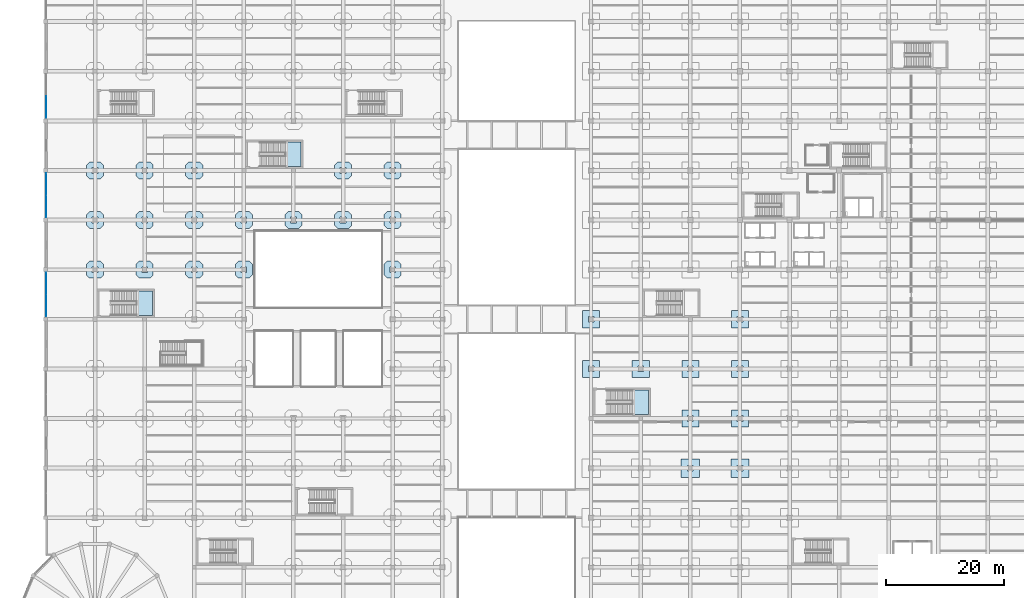
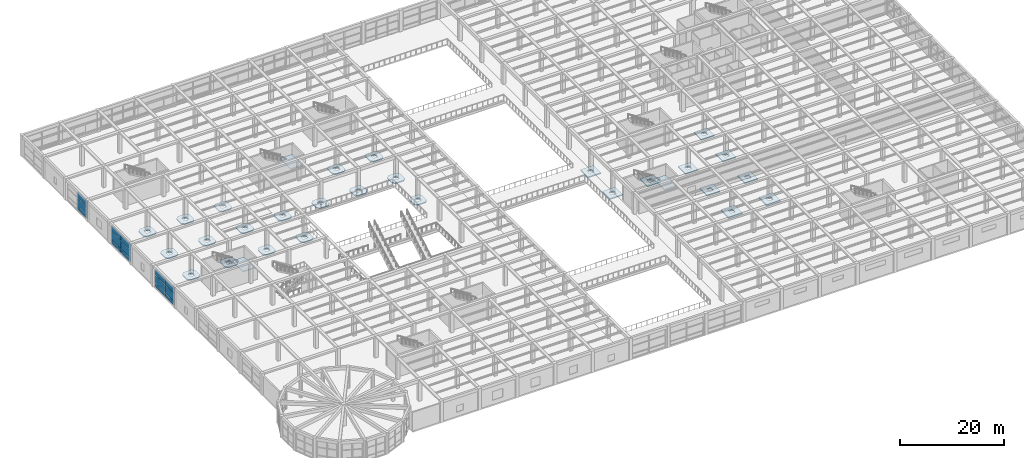
# One storey, part 71 of 95: 30 slabs, 15 plates, 6 elements without a shape of their own.
"""IFC4 building model written with IfcOpenShell, lengths in metres."""

from ifc_helpers import new_model, si_unit, direction, frame, origin, origin_2d, place, context, subcontext, project, spatial, polyline, rectangle, outline, extrude, material, layer, layer_set, type_object, element, aggregate, save


model = new_model("IFC4")

# Units and contexts
model_context = context("Model", 3, precision=1e-05, world=origin(), true_north=direction((0.0, 1.0)))
body_context = subcontext(model_context, "Body", "Model", "MODEL_VIEW")
ifc_project = project(units=[si_unit("LENGTHUNIT", "METRE"), si_unit("AREAUNIT", "SQUARE_METRE"), si_unit("VOLUMEUNIT", "CUBIC_METRE"), si_unit("PLANEANGLEUNIT", "RADIAN"), si_unit("MASSUNIT", "GRAM", prefix="KILO")], contexts=[model_context])

# Site, building, storey
site_placement = place(None, origin())
site = spatial("IfcSite", under=ifc_project, at=site_placement, CompositionType="ELEMENT")
building_placement = place(site_placement, origin())
building = spatial("IfcBuilding", under=site, at=building_placement, Name="Almacenes y Pasaje Nevantli", CompositionType="ELEMENT")
storey_placement = place(building_placement, frame((0.0, 0.0, 11.39990234375)))
storey = spatial("IfcBuildingStorey", under=building, at=storey_placement, Name="L03", CompositionType="ELEMENT", Elevation=11.39990234375)

# Curtain wall, plates
ifc_material_1 = material(Name="Thermally Broken Aluminium and Low-E Glass", Category="aluminium")
curtain_wall_type = type_object("IfcCurtainWallType", Name="CW-UNIT-PODIUM", PredefinedType="USERDEFINED", material=ifc_material_1)
curtain_wall_1_placement = place(storey_placement, origin())
curtain_wall_1 = element("IfcCurtainWall", 1, at=curtain_wall_1_placement, inside=storey, type_object=curtain_wall_type, Name="L03 West Avenue Unitized Curtain Wall Bay 8", ObjectType="UNITIZED CURTAIN WALL", PredefinedType="USERDEFINED")
ifc_material_2 = material(Name="Low-E Double Glazed Insulated Unit", Category="glass")
ifc_layer_1 = layer(ifc_material_2, 0.031982421875)
ifc_layer_set_1 = layer_set([ifc_layer_1], Name="Low-E Double Glazed Insulated Unit")
plate_type = type_object("IfcPlateType", Name="PL-IGU-32", PredefinedType="CURTAIN_PANEL", material=ifc_layer_set_1)
plate_1_placement = place(storey_placement, frame((0.14990234375, 61.138671875, 0.05517578125), z_axis=(0.0, 0.0, 1.0), x_axis=(0.0, 1.0, 0.0)))
plate_1 = element("IfcPlate", 2, at=plate_1_placement, type_object=plate_type, Name="CW-L03-050 panel 1.1", PredefinedType="CURTAIN_PANEL", context=body_context, shape_type="SweptSolid", body=[
    extrude(rectangle(XDim=3.66748046875, YDim=0.031982421875, at=origin_2d()), origin(), (0.0, 0.0, 1.0), 0.867431640625),
])
plate_2_placement = place(storey_placement, frame((0.14990234375, 61.138671875, 0.9775390625), z_axis=(0.0, 0.0, 1.0), x_axis=(0.0, 1.0, 0.0)))
plate_2 = element("IfcPlate", 3, at=plate_2_placement, type_object=plate_type, Name="CW-L03-050 panel 1.2", PredefinedType="CURTAIN_PANEL", context=body_context, shape_type="SweptSolid", body=[
    extrude(rectangle(XDim=3.66748046875, YDim=0.031982421875, at=origin_2d()), origin(), (0.0, 0.0, 1.0), 1.844970703125),
])
plate_3_placement = place(storey_placement, frame((0.14990234375, 61.138671875, 2.87744140625), z_axis=(0.0, 0.0, 1.0), x_axis=(0.0, 1.0, 0.0)))
plate_3 = element("IfcPlate", 4, at=plate_3_placement, type_object=plate_type, Name="CW-L03-050 panel 1.3", PredefinedType="CURTAIN_PANEL", context=body_context, shape_type="SweptSolid", body=[
    extrude(rectangle(XDim=3.66748046875, YDim=0.031982421875, at=origin_2d()), origin(), (0.0, 0.0, 1.0), 1.447509765625),
])
plate_4_placement = place(storey_placement, frame((0.14990234375, 64.861328125, 0.05517578125), z_axis=(0.0, 0.0, 1.0), x_axis=(0.0, 1.0, 0.0)))
plate_4 = element("IfcPlate", 5, at=plate_4_placement, type_object=plate_type, Name="CW-L03-050 panel 2.1", PredefinedType="CURTAIN_PANEL", context=body_context, shape_type="SweptSolid", body=[
    extrude(rectangle(XDim=3.66748046875, YDim=0.031982421875, at=origin_2d()), origin(), (0.0, 0.0, 1.0), 0.867431640625),
])
plate_5_placement = place(storey_placement, frame((0.14990234375, 64.861328125, 0.9775390625), z_axis=(0.0, 0.0, 1.0), x_axis=(0.0, 1.0, 0.0)))
plate_5 = element("IfcPlate", 6, at=plate_5_placement, type_object=plate_type, Name="CW-L03-050 panel 2.2", PredefinedType="CURTAIN_PANEL", context=body_context, shape_type="SweptSolid", body=[
    extrude(rectangle(XDim=3.66748046875, YDim=0.031982421875, at=origin_2d()), origin(), (0.0, 0.0, 1.0), 1.844970703125),
])
plate_6_placement = place(storey_placement, frame((0.14990234375, 64.861328125, 2.87744140625), z_axis=(0.0, 0.0, 1.0), x_axis=(0.0, 1.0, 0.0)))
plate_6 = element("IfcPlate", 7, at=plate_6_placement, type_object=plate_type, Name="CW-L03-050 panel 2.3", PredefinedType="CURTAIN_PANEL", context=body_context, shape_type="SweptSolid", body=[
    extrude(rectangle(XDim=3.66748046875, YDim=0.031982421875, at=origin_2d()), origin(), (0.0, 0.0, 1.0), 1.447509765625),
])
aggregate(curtain_wall_1, [plate_1, plate_2, plate_3, plate_4, plate_5, plate_6])

curtain_wall_2_placement = place(storey_placement, origin())
curtain_wall_2 = element("IfcCurtainWall", 8, at=curtain_wall_2_placement, inside=storey, type_object=curtain_wall_type, Name="L03 West Avenue Unitized Curtain Wall Bay 10", ObjectType="UNITIZED CURTAIN WALL", PredefinedType="USERDEFINED")
plate_7_placement = place(storey_placement, frame((0.14990234375, 77.938720703125, 0.05517578125), z_axis=(0.0, 0.0, 1.0), x_axis=(0.0, 1.0, 0.0)))
plate_7 = element("IfcPlate", 9, at=plate_7_placement, type_object=plate_type, Name="CW-L03-051 panel 1.1", PredefinedType="CURTAIN_PANEL", context=body_context, shape_type="SweptSolid", body=[
    extrude(rectangle(XDim=3.66748046875, YDim=0.031982421875, at=origin_2d()), origin(), (0.0, 0.0, 1.0), 0.867431640625),
])
plate_8_placement = place(storey_placement, frame((0.14990234375, 77.938720703125, 0.9775390625), z_axis=(0.0, 0.0, 1.0), x_axis=(0.0, 1.0, 0.0)))
plate_8 = element("IfcPlate", 10, at=plate_8_placement, type_object=plate_type, Name="CW-L03-051 panel 1.2", PredefinedType="CURTAIN_PANEL", context=body_context, shape_type="SweptSolid", body=[
    extrude(rectangle(XDim=3.66748046875, YDim=0.031982421875, at=origin_2d()), origin(), (0.0, 0.0, 1.0), 1.844970703125),
])
plate_9_placement = place(storey_placement, frame((0.14990234375, 77.938720703125, 2.87744140625), z_axis=(0.0, 0.0, 1.0), x_axis=(0.0, 1.0, 0.0)))
plate_9 = element("IfcPlate", 11, at=plate_9_placement, type_object=plate_type, Name="CW-L03-051 panel 1.3", PredefinedType="CURTAIN_PANEL", context=body_context, shape_type="SweptSolid", body=[
    extrude(rectangle(XDim=3.66748046875, YDim=0.031982421875, at=origin_2d()), origin(), (0.0, 0.0, 1.0), 1.447509765625),
])
plate_10_placement = place(storey_placement, frame((0.14990234375, 81.6611328125, 0.05517578125), z_axis=(0.0, 0.0, 1.0), x_axis=(0.0, 1.0, 0.0)))
plate_10 = element("IfcPlate", 12, at=plate_10_placement, type_object=plate_type, Name="CW-L03-051 panel 2.1", PredefinedType="CURTAIN_PANEL", context=body_context, shape_type="SweptSolid", body=[
    extrude(rectangle(XDim=3.66748046875, YDim=0.031982421875, at=origin_2d()), origin(), (0.0, 0.0, 1.0), 0.867431640625),
])
plate_11_placement = place(storey_placement, frame((0.14990234375, 81.6611328125, 0.9775390625), z_axis=(0.0, 0.0, 1.0), x_axis=(0.0, 1.0, 0.0)))
plate_11 = element("IfcPlate", 13, at=plate_11_placement, type_object=plate_type, Name="CW-L03-051 panel 2.2", PredefinedType="CURTAIN_PANEL", context=body_context, shape_type="SweptSolid", body=[
    extrude(rectangle(XDim=3.66748046875, YDim=0.031982421875, at=origin_2d()), origin(), (0.0, 0.0, 1.0), 1.844970703125),
])
plate_12_placement = place(storey_placement, frame((0.14990234375, 81.6611328125, 2.87744140625), z_axis=(0.0, 0.0, 1.0), x_axis=(0.0, 1.0, 0.0)))
plate_12 = element("IfcPlate", 14, at=plate_12_placement, type_object=plate_type, Name="CW-L03-051 panel 2.3", PredefinedType="CURTAIN_PANEL", context=body_context, shape_type="SweptSolid", body=[
    extrude(rectangle(XDim=3.66748046875, YDim=0.031982421875, at=origin_2d()), origin(), (0.0, 0.0, 1.0), 1.447509765625),
])
aggregate(curtain_wall_2, [plate_7, plate_8, plate_9, plate_10, plate_11, plate_12])

curtain_wall_3_placement = place(storey_placement, origin())
curtain_wall_3 = element("IfcCurtainWall", 15, at=curtain_wall_3_placement, inside=storey, type_object=curtain_wall_type, Name="L03 West Avenue Unitized Curtain Wall Bay 12", ObjectType="UNITIZED CURTAIN WALL", PredefinedType="USERDEFINED")
plate_13_placement = place(storey_placement, frame((0.14990234375, 94.73876953125, 0.05517578125), z_axis=(0.0, 0.0, 1.0), x_axis=(0.0, 1.0, 0.0)))
plate_13 = element("IfcPlate", 16, at=plate_13_placement, type_object=plate_type, Name="CW-L03-052 panel 1.1", PredefinedType="CURTAIN_PANEL", context=body_context, shape_type="SweptSolid", body=[
    extrude(rectangle(XDim=3.66748046875, YDim=0.031982421875, at=origin_2d()), origin(), (0.0, 0.0, 1.0), 0.867431640625),
])
plate_14_placement = place(storey_placement, frame((0.14990234375, 94.73876953125, 0.9775390625), z_axis=(0.0, 0.0, 1.0), x_axis=(0.0, 1.0, 0.0)))
plate_14 = element("IfcPlate", 17, at=plate_14_placement, type_object=plate_type, Name="CW-L03-052 panel 1.2", PredefinedType="CURTAIN_PANEL", context=body_context, shape_type="SweptSolid", body=[
    extrude(rectangle(XDim=3.66748046875, YDim=0.031982421875, at=origin_2d()), origin(), (0.0, 0.0, 1.0), 1.844970703125),
])
plate_15_placement = place(storey_placement, frame((0.14990234375, 94.73876953125, 2.87744140625), z_axis=(0.0, 0.0, 1.0), x_axis=(0.0, 1.0, 0.0)))
plate_15 = element("IfcPlate", 18, at=plate_15_placement, type_object=plate_type, Name="CW-L03-052 panel 1.3", PredefinedType="CURTAIN_PANEL", context=body_context, shape_type="SweptSolid", body=[
    extrude(rectangle(XDim=3.66748046875, YDim=0.031982421875, at=origin_2d()), origin(), (0.0, 0.0, 1.0), 1.447509765625),
])
aggregate(curtain_wall_3, [plate_13, plate_14, plate_15])

# Slabs
ifc_material_3 = material(Name="Concrete C35/45", Category="concrete")
ifc_layer_2 = layer(ifc_material_3, 0.25)
ifc_layer_set_2 = layer_set([ifc_layer_2], Name="Concrete C35/45")
slab_type_1 = type_object("IfcSlabType", Name="SLB-DP-250", PredefinedType="USERDEFINED", material=ifc_layer_set_2)
slab_1_placement = place(storey_placement, frame((0.0, 0.0, -0.5498046875)))
element("IfcSlab", 19, at=slab_1_placement, inside=storey, type_object=slab_type_1, Name="L03 Punching-Shear Drop Panel DP-02 #579", ObjectType="DROP PANEL", PredefinedType="USERDEFINED", context=body_context, shape_type="SweptSolid", body=[
    extrude(outline(polyline([(7.5, 65.75), (9.300048828125, 65.75), (9.85009765625, 66.300048828125), (9.85009765625, 68.10009765625), (9.300048828125, 68.64990234375), (7.5, 68.64990234375), (6.949951171875, 68.10009765625), (6.949951171875, 66.300048828125), (7.5, 65.75)]), holes=[polyline([(7.919921875, 66.719970703125), (8.8798828125, 66.719970703125), (8.8798828125, 67.679931640625), (7.919921875, 67.679931640625), (7.919921875, 66.719970703125)])]), origin(), (0.0, 0.0, 1.0), 0.25),
])
slab_2_placement = place(storey_placement, frame((0.0, 0.0, -0.5498046875)))
element("IfcSlab", 20, at=slab_2_placement, inside=storey, type_object=slab_type_1, Name="L03 Punching-Shear Drop Panel DP-02 #580", ObjectType="DROP PANEL", PredefinedType="USERDEFINED", context=body_context, shape_type="SweptSolid", body=[
    extrude(outline(polyline([(7.5, 74.14990234375), (9.300048828125, 74.14990234375), (9.85009765625, 74.699951171875), (9.85009765625, 76.5), (9.300048828125, 77.050048828125), (7.5, 77.050048828125), (6.949951171875, 76.5), (6.949951171875, 74.699951171875), (7.5, 74.14990234375)]), holes=[polyline([(7.919921875, 75.1201171875), (8.8798828125, 75.1201171875), (8.8798828125, 76.080078125), (7.919921875, 76.080078125), (7.919921875, 75.1201171875)])]), origin(), (0.0, 0.0, 1.0), 0.25),
])
slab_3_placement = place(storey_placement, frame((0.0, 0.0, -0.5498046875)))
element("IfcSlab", 21, at=slab_3_placement, inside=storey, type_object=slab_type_1, Name="L03 Punching-Shear Drop Panel DP-02 #581", ObjectType="DROP PANEL", PredefinedType="USERDEFINED", context=body_context, shape_type="SweptSolid", body=[
    extrude(outline(polyline([(7.5, 82.550048828125), (9.300048828125, 82.550048828125), (9.85009765625, 83.10009765625), (9.85009765625, 84.89990234375), (9.300048828125, 85.449951171875), (7.5, 85.449951171875), (6.949951171875, 84.89990234375), (6.949951171875, 83.10009765625), (7.5, 82.550048828125)]), holes=[polyline([(7.919921875, 83.52001953125), (8.8798828125, 83.52001953125), (8.8798828125, 84.47998046875), (7.919921875, 84.47998046875), (7.919921875, 83.52001953125)])]), origin(), (0.0, 0.0, 1.0), 0.25),
])
slab_4_placement = place(storey_placement, frame((0.0, 0.0, -0.5498046875)))
element("IfcSlab", 22, at=slab_4_placement, inside=storey, type_object=slab_type_1, Name="L03 Punching-Shear Drop Panel DP-02 #587", ObjectType="DROP PANEL", PredefinedType="USERDEFINED", context=body_context, shape_type="SweptSolid", body=[
    extrude(outline(polyline([(15.89990234375, 65.75), (17.699951171875, 65.75), (18.25, 66.300048828125), (18.25, 68.10009765625), (17.699951171875, 68.64990234375), (15.89990234375, 68.64990234375), (15.35009765625, 68.10009765625), (15.35009765625, 66.300048828125), (15.89990234375, 65.75)]), holes=[polyline([(16.320068359375, 66.719970703125), (17.280029296875, 66.719970703125), (17.280029296875, 67.679931640625), (16.320068359375, 67.679931640625), (16.320068359375, 66.719970703125)])]), origin(), (0.0, 0.0, 1.0), 0.25),
])
slab_5_placement = place(storey_placement, frame((0.0, 0.0, -0.5498046875)))
element("IfcSlab", 23, at=slab_5_placement, inside=storey, type_object=slab_type_1, Name="L03 Punching-Shear Drop Panel DP-02 #588", ObjectType="DROP PANEL", PredefinedType="USERDEFINED", context=body_context, shape_type="SweptSolid", body=[
    extrude(outline(polyline([(15.89990234375, 74.14990234375), (17.699951171875, 74.14990234375), (18.25, 74.699951171875), (18.25, 76.5), (17.699951171875, 77.050048828125), (15.89990234375, 77.050048828125), (15.35009765625, 76.5), (15.35009765625, 74.699951171875), (15.89990234375, 74.14990234375)]), holes=[polyline([(16.320068359375, 75.1201171875), (17.280029296875, 75.1201171875), (17.280029296875, 76.080078125), (16.320068359375, 76.080078125), (16.320068359375, 75.1201171875)])]), origin(), (0.0, 0.0, 1.0), 0.25),
])
slab_6_placement = place(storey_placement, frame((0.0, 0.0, -0.5498046875)))
element("IfcSlab", 24, at=slab_6_placement, inside=storey, type_object=slab_type_1, Name="L03 Punching-Shear Drop Panel DP-02 #589", ObjectType="DROP PANEL", PredefinedType="USERDEFINED", context=body_context, shape_type="SweptSolid", body=[
    extrude(outline(polyline([(15.89990234375, 82.550048828125), (17.699951171875, 82.550048828125), (18.25, 83.10009765625), (18.25, 84.89990234375), (17.699951171875, 85.449951171875), (15.89990234375, 85.449951171875), (15.35009765625, 84.89990234375), (15.35009765625, 83.10009765625), (15.89990234375, 82.550048828125)]), holes=[polyline([(16.320068359375, 83.52001953125), (17.280029296875, 83.52001953125), (17.280029296875, 84.47998046875), (16.320068359375, 84.47998046875), (16.320068359375, 83.52001953125)])]), origin(), (0.0, 0.0, 1.0), 0.25),
])
slab_7_placement = place(storey_placement, frame((0.0, 0.0, -0.5498046875)))
element("IfcSlab", 25, at=slab_7_placement, inside=storey, type_object=slab_type_1, Name="L03 Punching-Shear Drop Panel DP-02 #597", ObjectType="DROP PANEL", PredefinedType="USERDEFINED", context=body_context, shape_type="SweptSolid", body=[
    extrude(outline(polyline([(24.300048828125, 65.75), (26.10009765625, 65.75), (26.64990234375, 66.300048828125), (26.64990234375, 68.10009765625), (26.10009765625, 68.64990234375), (24.300048828125, 68.64990234375), (23.75, 68.10009765625), (23.75, 66.300048828125), (24.300048828125, 65.75)]), holes=[polyline([(24.719970703125, 66.719970703125), (25.679931640625, 66.719970703125), (25.679931640625, 67.679931640625), (24.719970703125, 67.679931640625), (24.719970703125, 66.719970703125)])]), origin(), (0.0, 0.0, 1.0), 0.25),
])
slab_8_placement = place(storey_placement, frame((0.0, 0.0, -0.5498046875)))
element("IfcSlab", 26, at=slab_8_placement, inside=storey, type_object=slab_type_1, Name="L03 Punching-Shear Drop Panel DP-02 #598", ObjectType="DROP PANEL", PredefinedType="USERDEFINED", context=body_context, shape_type="SweptSolid", body=[
    extrude(outline(polyline([(24.300048828125, 74.14990234375), (26.10009765625, 74.14990234375), (26.64990234375, 74.699951171875), (26.64990234375, 76.5), (26.10009765625, 77.050048828125), (24.300048828125, 77.050048828125), (23.75, 76.5), (23.75, 74.699951171875), (24.300048828125, 74.14990234375)]), holes=[polyline([(24.719970703125, 75.1201171875), (25.679931640625, 75.1201171875), (25.679931640625, 76.080078125), (24.719970703125, 76.080078125), (24.719970703125, 75.1201171875)])]), origin(), (0.0, 0.0, 1.0), 0.25),
])
slab_9_placement = place(storey_placement, frame((0.0, 0.0, -0.5498046875)))
element("IfcSlab", 27, at=slab_9_placement, inside=storey, type_object=slab_type_1, Name="L03 Punching-Shear Drop Panel DP-02 #599", ObjectType="DROP PANEL", PredefinedType="USERDEFINED", context=body_context, shape_type="SweptSolid", body=[
    extrude(outline(polyline([(24.300048828125, 82.550048828125), (26.10009765625, 82.550048828125), (26.64990234375, 83.10009765625), (26.64990234375, 84.89990234375), (26.10009765625, 85.449951171875), (24.300048828125, 85.449951171875), (23.75, 84.89990234375), (23.75, 83.10009765625), (24.300048828125, 82.550048828125)]), holes=[polyline([(24.719970703125, 83.52001953125), (25.679931640625, 83.52001953125), (25.679931640625, 84.47998046875), (24.719970703125, 84.47998046875), (24.719970703125, 83.52001953125)])]), origin(), (0.0, 0.0, 1.0), 0.25),
])
slab_10_placement = place(storey_placement, frame((0.0, 0.0, -0.5498046875)))
element("IfcSlab", 28, at=slab_10_placement, inside=storey, type_object=slab_type_1, Name="L03 Punching-Shear Drop Panel DP-02 #609", ObjectType="DROP PANEL", PredefinedType="USERDEFINED", context=body_context, shape_type="SweptSolid", body=[
    extrude(outline(polyline([(32.699951171875, 65.75), (34.5, 65.75), (35.050048828125, 66.300048828125), (35.050048828125, 68.10009765625), (34.5, 68.64990234375), (32.699951171875, 68.64990234375), (32.14990234375, 68.10009765625), (32.14990234375, 66.300048828125), (32.699951171875, 65.75)]), holes=[polyline([(33.1201171875, 66.719970703125), (34.080078125, 66.719970703125), (34.080078125, 67.679931640625), (33.1201171875, 67.679931640625), (33.1201171875, 66.719970703125)])]), origin(), (0.0, 0.0, 1.0), 0.25),
])
slab_11_placement = place(storey_placement, frame((0.0, 0.0, -0.5498046875)))
element("IfcSlab", 29, at=slab_11_placement, inside=storey, type_object=slab_type_1, Name="L03 Punching-Shear Drop Panel DP-02 #610", ObjectType="DROP PANEL", PredefinedType="USERDEFINED", context=body_context, shape_type="SweptSolid", body=[
    extrude(outline(polyline([(32.699951171875, 74.14990234375), (34.5, 74.14990234375), (35.050048828125, 74.699951171875), (35.050048828125, 76.5), (34.5, 77.050048828125), (32.699951171875, 77.050048828125), (32.14990234375, 76.5), (32.14990234375, 74.699951171875), (32.699951171875, 74.14990234375)]), holes=[polyline([(33.1201171875, 75.1201171875), (34.080078125, 75.1201171875), (34.080078125, 76.080078125), (33.1201171875, 76.080078125), (33.1201171875, 75.1201171875)])]), origin(), (0.0, 0.0, 1.0), 0.25),
])
slab_12_placement = place(storey_placement, frame((0.0, 0.0, -0.5498046875)))
element("IfcSlab", 30, at=slab_12_placement, inside=storey, type_object=slab_type_1, Name="L03 Punching-Shear Drop Panel DP-02 #618", ObjectType="DROP PANEL", PredefinedType="USERDEFINED", context=body_context, shape_type="SweptSolid", body=[
    extrude(outline(polyline([(41.10009765625, 74.14990234375), (42.89990234375, 74.14990234375), (43.449951171875, 74.699951171875), (43.449951171875, 76.5), (42.89990234375, 77.050048828125), (41.10009765625, 77.050048828125), (40.550048828125, 76.5), (40.550048828125, 74.699951171875), (41.10009765625, 74.14990234375)]), holes=[polyline([(41.52001953125, 75.1201171875), (42.47998046875, 75.1201171875), (42.47998046875, 76.080078125), (41.52001953125, 76.080078125), (41.52001953125, 75.1201171875)])]), origin(), (0.0, 0.0, 1.0), 0.25),
])
slab_13_placement = place(storey_placement, frame((0.0, 0.0, -0.5498046875)))
element("IfcSlab", 31, at=slab_13_placement, inside=storey, type_object=slab_type_1, Name="L03 Punching-Shear Drop Panel DP-02 #626", ObjectType="DROP PANEL", PredefinedType="USERDEFINED", context=body_context, shape_type="SweptSolid", body=[
    extrude(outline(polyline([(49.5, 74.14990234375), (51.300048828125, 74.14990234375), (51.85009765625, 74.699951171875), (51.85009765625, 76.5), (51.300048828125, 77.050048828125), (49.5, 77.050048828125), (48.949951171875, 76.5), (48.949951171875, 74.699951171875), (49.5, 74.14990234375)]), holes=[polyline([(49.919921875, 75.1201171875), (50.8798828125, 75.1201171875), (50.8798828125, 76.080078125), (49.919921875, 76.080078125), (49.919921875, 75.1201171875)])]), origin(), (0.0, 0.0, 1.0), 0.25),
])
slab_14_placement = place(storey_placement, frame((0.0, 0.0, -0.5498046875)))
element("IfcSlab", 32, at=slab_14_placement, inside=storey, type_object=slab_type_1, Name="L03 Punching-Shear Drop Panel DP-02 #627", ObjectType="DROP PANEL", PredefinedType="USERDEFINED", context=body_context, shape_type="SweptSolid", body=[
    extrude(outline(polyline([(49.5, 82.550048828125), (51.300048828125, 82.550048828125), (51.85009765625, 83.10009765625), (51.85009765625, 84.89990234375), (51.300048828125, 85.449951171875), (49.5, 85.449951171875), (48.949951171875, 84.89990234375), (48.949951171875, 83.10009765625), (49.5, 82.550048828125)]), holes=[polyline([(49.919921875, 83.52001953125), (50.8798828125, 83.52001953125), (50.8798828125, 84.47998046875), (49.919921875, 84.47998046875), (49.919921875, 83.52001953125)])]), origin(), (0.0, 0.0, 1.0), 0.25),
])
slab_15_placement = place(storey_placement, frame((0.0, 0.0, -0.5498046875)))
element("IfcSlab", 33, at=slab_15_placement, inside=storey, type_object=slab_type_1, Name="L03 Punching-Shear Drop Panel DP-02 #637", ObjectType="DROP PANEL", PredefinedType="USERDEFINED", context=body_context, shape_type="SweptSolid", body=[
    extrude(outline(polyline([(57.89990234375, 65.75), (59.699951171875, 65.75), (60.25, 66.300048828125), (60.25, 68.10009765625), (59.699951171875, 68.64990234375), (57.89990234375, 68.64990234375), (57.35009765625, 68.10009765625), (57.35009765625, 66.300048828125), (57.89990234375, 65.75)]), holes=[polyline([(58.320068359375, 66.719970703125), (59.280029296875, 66.719970703125), (59.280029296875, 67.679931640625), (58.320068359375, 67.679931640625), (58.320068359375, 66.719970703125)])]), origin(), (0.0, 0.0, 1.0), 0.25),
])
slab_16_placement = place(storey_placement, frame((0.0, 0.0, -0.5498046875)))
element("IfcSlab", 34, at=slab_16_placement, inside=storey, type_object=slab_type_1, Name="L03 Punching-Shear Drop Panel DP-02 #638", ObjectType="DROP PANEL", PredefinedType="USERDEFINED", context=body_context, shape_type="SweptSolid", body=[
    extrude(outline(polyline([(57.89990234375, 74.14990234375), (59.699951171875, 74.14990234375), (60.25, 74.699951171875), (60.25, 76.5), (59.699951171875, 77.050048828125), (57.89990234375, 77.050048828125), (57.35009765625, 76.5), (57.35009765625, 74.699951171875), (57.89990234375, 74.14990234375)]), holes=[polyline([(58.320068359375, 75.1201171875), (59.280029296875, 75.1201171875), (59.280029296875, 76.080078125), (58.320068359375, 76.080078125), (58.320068359375, 75.1201171875)])]), origin(), (0.0, 0.0, 1.0), 0.25),
])
slab_17_placement = place(storey_placement, frame((0.0, 0.0, -0.5498046875)))
element("IfcSlab", 35, at=slab_17_placement, inside=storey, type_object=slab_type_1, Name="L03 Punching-Shear Drop Panel DP-02 #639", ObjectType="DROP PANEL", PredefinedType="USERDEFINED", context=body_context, shape_type="SweptSolid", body=[
    extrude(outline(polyline([(57.89990234375, 82.550048828125), (59.699951171875, 82.550048828125), (60.25, 83.10009765625), (60.25, 84.89990234375), (59.699951171875, 85.449951171875), (57.89990234375, 85.449951171875), (57.35009765625, 84.89990234375), (57.35009765625, 83.10009765625), (57.89990234375, 82.550048828125)]), holes=[polyline([(58.320068359375, 83.52001953125), (59.280029296875, 83.52001953125), (59.280029296875, 84.47998046875), (58.320068359375, 84.47998046875), (58.320068359375, 83.52001953125)])]), origin(), (0.0, 0.0, 1.0), 0.25),
])
slab_18_placement = place(storey_placement, frame((0.0, 0.0, -0.5498046875)))
element("IfcSlab", 36, at=slab_18_placement, inside=storey, type_object=slab_type_1, Name="L03 Punching-Shear Drop Panel DP-02 #659", ObjectType="DROP PANEL", PredefinedType="USERDEFINED", context=body_context, shape_type="SweptSolid", body=[
    extrude(outline(polyline([(90.949951171875, 48.949951171875), (93.85009765625, 48.949951171875), (93.85009765625, 51.85009765625), (90.949951171875, 51.85009765625), (90.949951171875, 48.949951171875)]), holes=[polyline([(91.919921875, 49.919921875), (92.8798828125, 49.919921875), (92.8798828125, 50.8798828125), (91.919921875, 50.8798828125), (91.919921875, 49.919921875)])]), origin(), (0.0, 0.0, 1.0), 0.25),
])
slab_19_placement = place(storey_placement, frame((0.0, 0.0, -0.5498046875)))
element("IfcSlab", 37, at=slab_19_placement, inside=storey, type_object=slab_type_1, Name="L03 Punching-Shear Drop Panel DP-02 #660", ObjectType="DROP PANEL", PredefinedType="USERDEFINED", context=body_context, shape_type="SweptSolid", body=[
    extrude(outline(polyline([(90.949951171875, 57.35009765625), (93.85009765625, 57.35009765625), (93.85009765625, 60.25), (90.949951171875, 60.25), (90.949951171875, 57.35009765625)]), holes=[polyline([(91.919921875, 58.320068359375), (92.8798828125, 58.320068359375), (92.8798828125, 59.280029296875), (91.919921875, 59.280029296875), (91.919921875, 58.320068359375)])]), origin(), (0.0, 0.0, 1.0), 0.25),
])
slab_20_placement = place(storey_placement, frame((0.0, 0.0, -0.5498046875)))
element("IfcSlab", 38, at=slab_20_placement, inside=storey, type_object=slab_type_1, Name="L03 Punching-Shear Drop Panel DP-02 #671", ObjectType="DROP PANEL", PredefinedType="USERDEFINED", context=body_context, shape_type="SweptSolid", body=[
    extrude(outline(polyline([(99.35009765625, 48.949951171875), (102.25, 48.949951171875), (102.25, 51.85009765625), (99.35009765625, 51.85009765625), (99.35009765625, 48.949951171875)]), holes=[polyline([(100.320068359375, 49.919921875), (101.280029296875, 49.919921875), (101.280029296875, 50.8798828125), (100.320068359375, 50.8798828125), (100.320068359375, 49.919921875)])]), origin(), (0.0, 0.0, 1.0), 0.25),
])
slab_21_placement = place(storey_placement, frame((0.0, 0.0, -0.5498046875)))
element("IfcSlab", 39, at=slab_21_placement, inside=storey, type_object=slab_type_1, Name="L03 Punching-Shear Drop Panel DP-02 #682", ObjectType="DROP PANEL", PredefinedType="USERDEFINED", context=body_context, shape_type="SweptSolid", body=[
    extrude(outline(polyline([(107.75, 40.550048828125), (110.64990234375, 40.550048828125), (110.64990234375, 43.449951171875), (107.75, 43.449951171875), (107.75, 40.550048828125)]), holes=[polyline([(108.719970703125, 41.52001953125), (109.679931640625, 41.52001953125), (109.679931640625, 42.47998046875), (108.719970703125, 42.47998046875), (108.719970703125, 41.52001953125)])]), origin(), (0.0, 0.0, 1.0), 0.25),
])
slab_22_placement = place(storey_placement, frame((0.0, 0.0, -0.5498046875)))
element("IfcSlab", 40, at=slab_22_placement, inside=storey, type_object=slab_type_1, Name="L03 Punching-Shear Drop Panel DP-02 #683", ObjectType="DROP PANEL", PredefinedType="USERDEFINED", context=body_context, shape_type="SweptSolid", body=[
    extrude(outline(polyline([(107.75, 48.949951171875), (110.64990234375, 48.949951171875), (110.64990234375, 51.85009765625), (107.75, 51.85009765625), (107.75, 48.949951171875)]), holes=[polyline([(108.719970703125, 49.919921875), (109.679931640625, 49.919921875), (109.679931640625, 50.8798828125), (108.719970703125, 50.8798828125), (108.719970703125, 49.919921875)])]), origin(), (0.0, 0.0, 1.0), 0.25),
])
slab_23_placement = place(storey_placement, frame((0.0, 0.0, -0.5498046875)))
element("IfcSlab", 41, at=slab_23_placement, inside=storey, type_object=slab_type_1, Name="L03 Punching-Shear Drop Panel DP-02 #694", ObjectType="DROP PANEL", PredefinedType="USERDEFINED", context=body_context, shape_type="SweptSolid", body=[
    extrude(outline(polyline([(116.14990234375, 40.550048828125), (119.050048828125, 40.550048828125), (119.050048828125, 43.449951171875), (116.14990234375, 43.449951171875), (116.14990234375, 40.550048828125)]), holes=[polyline([(117.1201171875, 41.52001953125), (118.080078125, 41.52001953125), (118.080078125, 42.47998046875), (117.1201171875, 42.47998046875), (117.1201171875, 41.52001953125)])]), origin(), (0.0, 0.0, 1.0), 0.25),
])
slab_24_placement = place(storey_placement, frame((0.0, 0.0, -0.5498046875)))
element("IfcSlab", 42, at=slab_24_placement, inside=storey, type_object=slab_type_1, Name="L03 Punching-Shear Drop Panel DP-02 #695", ObjectType="DROP PANEL", PredefinedType="USERDEFINED", context=body_context, shape_type="SweptSolid", body=[
    extrude(outline(polyline([(116.14990234375, 48.949951171875), (119.050048828125, 48.949951171875), (119.050048828125, 51.85009765625), (116.14990234375, 51.85009765625), (116.14990234375, 48.949951171875)]), holes=[polyline([(117.1201171875, 49.919921875), (118.080078125, 49.919921875), (118.080078125, 50.8798828125), (117.1201171875, 50.8798828125), (117.1201171875, 49.919921875)])]), origin(), (0.0, 0.0, 1.0), 0.25),
])
slab_25_placement = place(storey_placement, frame((0.0, 0.0, -0.5498046875)))
element("IfcSlab", 43, at=slab_25_placement, inside=storey, type_object=slab_type_1, Name="L03 Punching-Shear Drop Panel DP-02 #696", ObjectType="DROP PANEL", PredefinedType="USERDEFINED", context=body_context, shape_type="SweptSolid", body=[
    extrude(outline(polyline([(116.14990234375, 57.35009765625), (119.050048828125, 57.35009765625), (119.050048828125, 60.25), (116.14990234375, 60.25), (116.14990234375, 57.35009765625)]), holes=[polyline([(117.1201171875, 58.320068359375), (118.080078125, 58.320068359375), (118.080078125, 59.280029296875), (117.1201171875, 59.280029296875), (117.1201171875, 58.320068359375)])]), origin(), (0.0, 0.0, 1.0), 0.25),
])
ifc_material_4 = material(Name="Concrete C35/45", Category="concrete")
ifc_layer_3 = layer(ifc_material_4, 0.31005859375)
ifc_layer_set_3 = layer_set([ifc_layer_3], Name="Concrete C35/45")
slab_type_2 = type_object("IfcSlabType", Name="SLB-DP-310", PredefinedType="USERDEFINED", material=ifc_layer_set_3)
slab_26_placement = place(storey_placement, frame((0.0, 0.0, -0.60986328125)))
element("IfcSlab", 44, at=slab_26_placement, inside=storey, type_object=slab_type_2, Name="L03 Punching-Shear Drop Panel DP-03 #681", ObjectType="DROP PANEL", PredefinedType="USERDEFINED", context=body_context, shape_type="SweptSolid", body=[
    extrude(outline(polyline([(107.64990234375, 32.050048828125), (110.75, 32.050048828125), (110.75, 35.14990234375), (107.64990234375, 35.14990234375), (107.64990234375, 32.050048828125)]), holes=[polyline([(108.719970703125, 33.1201171875), (109.679931640625, 33.1201171875), (109.679931640625, 34.080078125), (108.719970703125, 34.080078125), (108.719970703125, 33.1201171875)])]), origin(), (0.0, 0.0, 1.0), 0.31005859375),
])
slab_27_placement = place(storey_placement, frame((0.0, 0.0, -0.60986328125)))
element("IfcSlab", 45, at=slab_27_placement, inside=storey, type_object=slab_type_2, Name="L03 Punching-Shear Drop Panel DP-03 #693", ObjectType="DROP PANEL", PredefinedType="USERDEFINED", context=body_context, shape_type="SweptSolid", body=[
    extrude(outline(polyline([(116.050048828125, 32.050048828125), (119.14990234375, 32.050048828125), (119.14990234375, 35.14990234375), (116.050048828125, 35.14990234375), (116.050048828125, 32.050048828125)]), holes=[polyline([(117.1201171875, 33.1201171875), (118.080078125, 33.1201171875), (118.080078125, 34.080078125), (117.1201171875, 34.080078125), (117.1201171875, 33.1201171875)])]), origin(), (0.0, 0.0, 1.0), 0.31005859375),
])

# Stair, slab
ifc_material_5 = material(Name="Concrete C35/45", Category="concrete")
stair_type = type_object("IfcStairType", Name="STR-CORE-1850", PredefinedType="HALF_TURN_STAIR", material=ifc_material_5)
stair_1_placement = place(storey_placement, origin())
stair_1 = element("IfcStair", 46, at=stair_1_placement, inside=storey, type_object=stair_type, Name="L03 Staircase ST-08", PredefinedType="HALF_TURN_STAIR")
ifc_material_6 = material(Name="Concrete C35/45", Category="concrete")
ifc_layer_4 = layer(ifc_material_6, 0.199951171875)
ifc_layer_set_4 = layer_set([ifc_layer_4], Name="Concrete C35/45")
slab_type_3 = type_object("IfcSlabType", Name="SLB-LAND-200", PredefinedType="LANDING", material=ifc_layer_set_4)
slab_28_placement = place(storey_placement, frame((0.0, 0.0, 2.5)))
slab_28 = element("IfcSlab", 47, at=slab_28_placement, type_object=slab_type_3, Name="ST-08-L03 landing 1", PredefinedType="LANDING", context=body_context, shape_type="SweptSolid", body=[
    extrude(outline(polyline([(99.43505859375, 42.64990234375), (102.10009765625, 42.64990234375), (102.10009765625, 46.800048828125), (99.43505859375, 46.800048828125), (99.43505859375, 42.64990234375)])), origin(), (0.0, 0.0, 1.0), 0.2001953125),
])
aggregate(stair_1, [slab_28])

stair_2_placement = place(storey_placement, origin())
stair_2 = element("IfcStair", 48, at=stair_2_placement, inside=storey, type_object=stair_type, Name="L03 Staircase ST-12", PredefinedType="HALF_TURN_STAIR")
slab_29_placement = place(storey_placement, frame((0.0, 0.0, 2.5)))
slab_29 = element("IfcSlab", 49, at=slab_29_placement, type_object=slab_type_3, Name="ST-12-L03 landing 1", PredefinedType="LANDING", context=body_context, shape_type="SweptSolid", body=[
    extrude(outline(polyline([(15.43505859375, 59.449951171875), (18.10009765625, 59.449951171875), (18.10009765625, 63.60009765625), (15.43505859375, 63.60009765625), (15.43505859375, 59.449951171875)])), origin(), (0.0, 0.0, 1.0), 0.2001953125),
])
aggregate(stair_2, [slab_29])

stair_3_placement = place(storey_placement, origin())
stair_3 = element("IfcStair", 50, at=stair_3_placement, inside=storey, type_object=stair_type, Name="L03 Staircase ST-15", PredefinedType="HALF_TURN_STAIR")
slab_30_placement = place(storey_placement, frame((0.0, 0.0, 2.5)))
slab_30 = element("IfcSlab", 51, at=slab_30_placement, type_object=slab_type_3, Name="ST-15-L03 landing 1", PredefinedType="LANDING", context=body_context, shape_type="SweptSolid", body=[
    extrude(outline(polyline([(40.635009765625, 84.64990234375), (43.300048828125, 84.64990234375), (43.300048828125, 88.800048828125), (40.635009765625, 88.800048828125), (40.635009765625, 84.64990234375)])), origin(), (0.0, 0.0, 1.0), 0.2001953125),
])
aggregate(stair_3, [slab_30])

save(model, "model.ifc")
